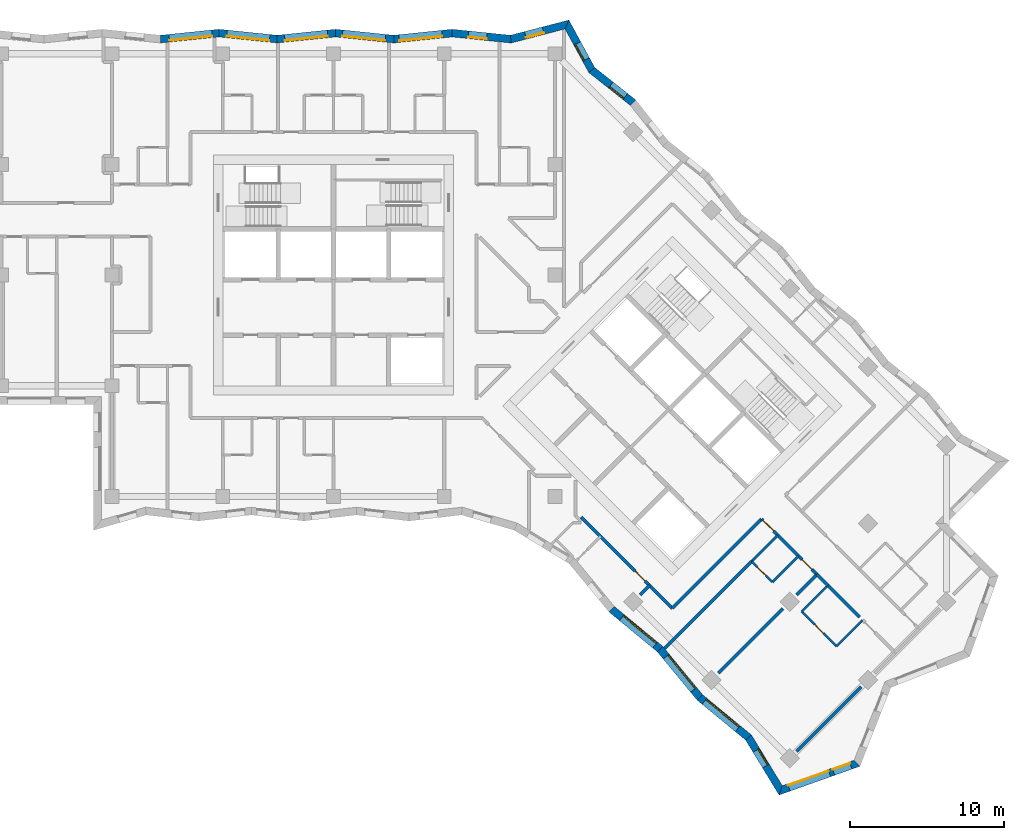
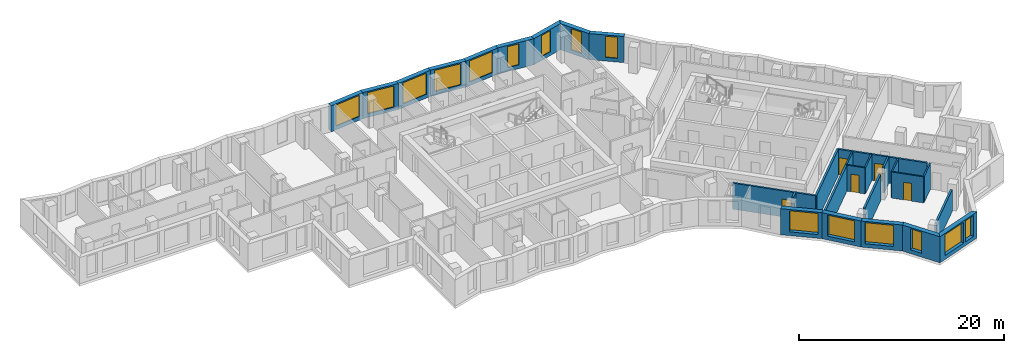
# One storey, part 7 of 12: 30 walls, 15 windows, 5 doors, 20 openings.
"""IFC4 building model written with IfcOpenShell, lengths in metres."""

import ifcopenshell
import ifcopenshell.guid

model = None  # the IFC model being written
_history = None  # IfcOwnerHistory: only IFC2X3 demands one
_inside = {}  # id of a spatial element -> (the spatial element, [elements in it])
_under = {}  # id of a project, library or spatial element -> (it, [spatial elements below it])
_declared = {}  # id of a project -> (the project, [libraries it declares])
_typed = {}  # id of a type object -> (the type object, [elements of that type])
_made_of = {}  # id of a material, layer set ... -> (it, [elements and type objects made of it])


def new_model(schema):
    """Start an empty IFC model of exactly this schema.

    Asked for "IFC4X3", IfcOpenShell would pick the latest addendum, in which some entities
    have other attributes; the version numbers below select the first issue.
    IFC2X3 requires an IfcOwnerHistory on every rooted entity: one is made here for all.
    """
    global model, _history
    if schema == "IFC4X3":
        model = ifcopenshell.file(schema_version=(4, 3, 0, 0))
    else:
        model = ifcopenshell.file(schema=schema)
    _inside.clear()
    _under.clear()
    _declared.clear()
    _typed.clear()
    _made_of.clear()
    _history = None
    if model.schema == "IFC2X3":
        org = make("IfcOrganization", Name="unknown")
        user = make(
            "IfcPersonAndOrganization",
            ThePerson=make("IfcPerson", FamilyName="unknown"),
            TheOrganization=org,
        )
        app = make(
            "IfcApplication",
            ApplicationDeveloper=org,
            Version="unknown",
            ApplicationFullName="unknown",
            ApplicationIdentifier="unknown",
        )
        _history = make(
            "IfcOwnerHistory",
            OwningUser=user,
            OwningApplication=app,
            ChangeAction="ADDED",
            CreationDate=0,
        )
    return model


def make(cls, **values):
    """One entity of the class cls with the attributes given. An attribute that is None is left unset."""
    return model.create_entity(
        cls, **{name: value for name, value in values.items() if value is not None}
    )


def rooted(cls, **values):
    """An entity with a GlobalId (a new one), such as an element, a storey or a relation."""
    return make(cls, GlobalId=ifcopenshell.guid.new(), OwnerHistory=_history, **values)


def si_unit(unit_type, name, prefix=None):
    """IfcSIUnit, for example si_unit("LENGTHUNIT", "METRE", prefix="MILLI")."""
    return make("IfcSIUnit", UnitType=unit_type, Prefix=prefix, Name=name)


def assignment(units):
    """IfcUnitAssignment: the units of a project."""
    return None if units is None else make("IfcUnitAssignment", Units=units)


def point(xyz):
    """IfcCartesianPoint."""
    return None if xyz is None else make("IfcCartesianPoint", Coordinates=xyz)


def direction(xyz):
    """IfcDirection."""
    return None if xyz is None else make("IfcDirection", DirectionRatios=xyz)


def frame(location, z_axis=None, x_axis=None):
    """IfcAxis2Placement3D, a coordinate frame: its origin and axes. An axis left out is left unset."""
    return make(
        "IfcAxis2Placement3D",
        Location=point(location),
        Axis=direction(z_axis),
        RefDirection=direction(x_axis),
    )


def frame_2d(location, x_axis=None):
    """IfcAxis2Placement2D, a coordinate frame in the plane: its origin and x axis."""
    return make(
        "IfcAxis2Placement2D", Location=point(location), RefDirection=direction(x_axis)
    )


def origin():
    """The frame at (0, 0, 0) with its axes left unset."""
    return frame((0.0, 0.0, 0.0))


def place(relative_to, where):
    """IfcLocalPlacement: puts the frame where relative to a parent placement (None: the world)."""
    return make(
        "IfcLocalPlacement", PlacementRelTo=relative_to, RelativePlacement=where
    )


def context(
    kind, dimensions, precision=None, world=None, true_north=None, identifier=None
):
    """IfcGeometricRepresentationContext, for example the 3D "Model" context."""
    return make(
        "IfcGeometricRepresentationContext",
        ContextIdentifier=identifier,
        ContextType=kind,
        CoordinateSpaceDimension=dimensions,
        Precision=precision,
        WorldCoordinateSystem=world,
        TrueNorth=true_north,
    )


def subcontext(parent, identifier, kind, view, scale=None):
    """IfcGeometricRepresentationSubContext, for example "Body" below "Model"."""
    return make(
        "IfcGeometricRepresentationSubContext",
        ContextIdentifier=identifier,
        ContextType=kind,
        ParentContext=parent,
        TargetScale=scale,
        TargetView=view,
    )


def project(units=None, contexts=None):
    """IfcProject with its units and contexts."""
    return rooted(
        "IfcProject",
        Name="project",
        RepresentationContexts=contexts,
        UnitsInContext=assignment(units),
    )


def spatial(cls, under=None, at=None, **own):
    """A site, building, storey or space (cls), placed at a placement, below another one or the project."""
    s = rooted(cls, ObjectPlacement=at, **own)
    if under is not None:
        _under.setdefault(under.id(), (under, []))[1].append(s)
    return s


def polyline(points):
    """IfcPolyline through the points."""
    return make("IfcPolyline", Points=[point(p) for p in points])


def profile(cls, at=None, kind="AREA", **sizes):
    """A parametric profile (cls). Its sizes go by their IFC names, for example OverallWidth=200.0."""
    return make(cls, ProfileType=kind, Position=at, **sizes)


def rectangle(**sizes):
    """IfcRectangleProfileDef."""
    return profile("IfcRectangleProfileDef", **sizes)


def outline(outer, holes=None, kind="AREA"):
    """IfcArbitraryClosedProfileDef: a profile drawn as a closed curve; with holes, ...WithVoids."""
    if holes is None:
        return make("IfcArbitraryClosedProfileDef", ProfileType=kind, OuterCurve=outer)
    return make(
        "IfcArbitraryProfileDefWithVoids",
        ProfileType=kind,
        OuterCurve=outer,
        InnerCurves=holes,
    )


def extrude(swept, where, along, depth):
    """IfcExtrudedAreaSolid: the profile swept, set in the frame where, extruded along a direction by depth."""
    return make(
        "IfcExtrudedAreaSolid",
        SweptArea=swept,
        Position=where,
        ExtrudedDirection=direction(along),
        Depth=depth,
    )


def shape(context_of_items, identifier, shape_type, items):
    """IfcShapeRepresentation: the items that make up one representation, for example the "Body"."""
    return make(
        "IfcShapeRepresentation",
        ContextOfItems=context_of_items,
        RepresentationIdentifier=identifier,
        RepresentationType=shape_type,
        Items=items,
    )


def material(Name=None, Category=None):
    """IfcMaterial."""
    return make("IfcMaterial", Name=Name, Category=Category)


def layer(
    of_material, thickness, ventilated=None, Name=None, Category=None, Priority=None
):
    """IfcMaterialLayer: one layer of a wall or slab, of a material (None: an air gap)."""
    return make(
        "IfcMaterialLayer",
        Material=of_material,
        LayerThickness=thickness,
        IsVentilated=ventilated,
        Name=Name,
        Category=Category,
        Priority=Priority,
    )


def layer_set(layers, Name=None):
    """IfcMaterialLayerSet."""
    return make("IfcMaterialLayerSet", MaterialLayers=layers, LayerSetName=Name)


def made_of(thing, what):
    """Note that an element or type object is made of a material, layer set ...; save() writes the relation."""
    if what is not None:
        _made_of.setdefault(what.id(), (what, []))[1].append(thing)
    return thing


def type_object(cls, material=None, **own):
    """A type object (cls), such as IfcWallType, which elements share."""
    return made_of(rooted(cls, **own), material)


def element(
    cls,
    number,
    at=None,
    inside=None,
    cuts=None,
    type_object=None,
    material=None,
    context=None,
    identifier="Body",
    shape_type=None,
    held_by="IfcProductDefinitionShape",
    body=None,
    shapes=None,
    **own,
):
    """One element of the class cls, such as IfcWall. Its Tag is "e" and its number.

    at: its placement. inside: the storey or other place that contains it. cuts: it is an
    opening in that element (IfcRelVoidsElement). A single representation is given by context,
    identifier, shape_type and body (its items); several are given by shapes. held_by: the class
    of the entity that holds the representations. save() writes the other relations.
    """
    e = rooted(cls, Tag="e%d" % number, ObjectPlacement=at, **own)
    if body is not None:
        shapes = [shape(context, identifier, shape_type, body)]
    if shapes is not None:
        e.Representation = make(held_by, Representations=shapes)
    if inside is not None:
        _inside.setdefault(inside.id(), (inside, []))[1].append(e)
    if cuts is not None:
        rooted(
            "IfcRelVoidsElement", RelatingBuildingElement=cuts, RelatedOpeningElement=e
        )
    if type_object is not None:
        _typed.setdefault(type_object.id(), (type_object, []))[1].append(e)
    return made_of(e, material)


def fill(opening, filler):
    """IfcRelFillsElement: the door or window that sits in an opening."""
    return rooted(
        "IfcRelFillsElement",
        RelatingOpeningElement=opening,
        RelatedBuildingElement=filler,
    )


def aggregate(whole, parts):
    """IfcRelAggregates: a whole, such as a stair, and the parts it consists of."""
    return rooted("IfcRelAggregates", RelatingObject=whole, RelatedObjects=parts)


def save(model, path):
    """Write the relations noted so far, then the file.

    IfcRelAggregates (storeys below a building ...), IfcRelContainedInSpatialStructure (elements
    in a storey), IfcRelDefinesByType, IfcRelAssociatesMaterial and IfcRelDeclares: one each for
    every whole, place, type object, material and project.
    """
    for whole, parts in _under.values():
        aggregate(whole, parts)
    for where, things in _inside.values():
        rooted(
            "IfcRelContainedInSpatialStructure",
            RelatedElements=things,
            RelatingStructure=where,
        )
    for kind, things in _typed.values():
        rooted("IfcRelDefinesByType", RelatedObjects=things, RelatingType=kind)
    for what, things in _made_of.values():
        rooted("IfcRelAssociatesMaterial", RelatedObjects=things, RelatingMaterial=what)
    for by, libraries in _declared.values():
        rooted("IfcRelDeclares", RelatingContext=by, RelatedDefinitions=libraries)
    model.write(path)


model = new_model("IFC4")

# Units and contexts
model_context = context("Model", 3, precision=1e-05, world=origin(), true_north=direction((0.0, 1.0)))
body_context = subcontext(model_context, "Body", "Model", "MODEL_VIEW")
ifc_project = project(units=[si_unit("LENGTHUNIT", "METRE"), si_unit("AREAUNIT", "SQUARE_METRE"), si_unit("VOLUMEUNIT", "CUBIC_METRE"), si_unit("PLANEANGLEUNIT", "RADIAN"), si_unit("MASSUNIT", "GRAM", prefix="KILO")], contexts=[model_context])

# Site, building, storey
site_placement = place(None, origin())
site = spatial("IfcSite", under=ifc_project, at=site_placement, CompositionType="ELEMENT")
building_placement = place(site_placement, origin())
building = spatial("IfcBuilding", under=site, at=building_placement, Name="Windrow Commons", CompositionType="ELEMENT")
storey_placement = place(building_placement, frame((0.0, 0.0, 145.6)))
storey = spatial("IfcBuildingStorey", under=building, at=storey_placement, Name="L39", CompositionType="ELEMENT", Elevation=145.6)

# Wall, openings, windows
ifc_material_1 = material(Name="Brick masonry, red clay brick", Category="masonry")
ifc_layer_1 = layer(ifc_material_1, 0.5)
ifc_layer_set_1 = layer_set([ifc_layer_1], Name="Brick facade wall 500")
wall_type_1 = type_object("IfcWallType", Name="Brick facade wall 500", PredefinedType="SOLIDWALL", material=ifc_layer_set_1)
wall_1_placement = place(storey_placement, frame((93.8807, 24.0854, 0.0), z_axis=(0.0, 0.0, 1.0), x_axis=(0.9422318528, 0.3349613941, 0.0)))
wall_1 = element("IfcWall", 1, at=wall_1_placement, inside=storey, type_object=wall_type_1, Name="Brick facade wall L39 1", PredefinedType="SOLIDWALL", context=body_context, shape_type="SweptSolid", body=[
    extrude(outline(polyline([(-0.2035, -0.25), (5.3858, -0.25), (5.158, 0.25), (0.2035, 0.25), (-0.2035, -0.25)])), origin(), (0.0, 0.0, 1.0), 3.1),
])
opening_1_placement = place(wall_1_placement, frame((0.5631, 0.0, 0.45)))
opening_1 = element("IfcOpeningElement", 2, at=opening_1_placement, cuts=wall_1, Name="Opening W1U", PredefinedType="OPENING", context=body_context, shape_type="SweptSolid", body=[
    extrude(rectangle(XDim=2.8, YDim=2.5, at=frame_2d((1.4, 1.25))), frame((0.0, 0.26, 0.0), z_axis=(0.0, -1.0, 0.0), x_axis=(1.0, 0.0, 0.0)), (0.0, 0.0, 1.0), 0.52),
])
opening_2_placement = place(wall_1_placement, frame((3.6404, 0.0, 0.45)))
opening_2 = element("IfcOpeningElement", 3, at=opening_2_placement, cuts=wall_1, Name="Opening W7E", PredefinedType="OPENING", context=body_context, shape_type="SweptSolid", body=[
    extrude(rectangle(XDim=1.2, YDim=2.5, at=frame_2d((0.6, 1.25))), frame((0.0, 0.26, 0.0), z_axis=(0.0, -1.0, 0.0), x_axis=(1.0, 0.0, 0.0)), (0.0, 0.0, 1.0), 0.52),
])
ifc_material_2 = material(Name="Clear float glass in anodised aluminium frame", Category="aluminium")
window_type_1 = type_object("IfcWindowType", Name="Window W1U bedroom 2800x2500", PartitioningType="SINGLE_PANEL", PredefinedType="WINDOW", material=ifc_material_2)
window_1_placement = place(opening_1_placement, origin())
window_1 = element("IfcWindow", 4, at=window_1_placement, inside=storey, type_object=window_type_1, Name="Window L39 1.1", OverallHeight=2.5, OverallWidth=2.8, PartitioningType="SINGLE_PANEL", PredefinedType="WINDOW", context=body_context, shape_type="SweptSolid", body=[
    extrude(rectangle(XDim=2.8, YDim=2.5, at=frame_2d((1.4, 1.25))), frame((0.0, 0.18, 0.0), z_axis=(0.0, -1.0, 0.0), x_axis=(1.0, 0.0, 0.0)), (0.0, 0.0, 1.0), 0.06),
])
fill(opening_1, window_1)
ifc_material_3 = material(Name="Clear float glass in anodised aluminium frame", Category="aluminium")
window_type_2 = type_object("IfcWindowType", Name="Window W7 notch 1200x2500", PartitioningType="SINGLE_PANEL", PredefinedType="WINDOW", material=ifc_material_3)
window_2_placement = place(opening_2_placement, origin())
window_2 = element("IfcWindow", 5, at=window_2_placement, inside=storey, type_object=window_type_2, Name="Window L39 1.2", OverallHeight=2.5, OverallWidth=1.2, PartitioningType="SINGLE_PANEL", PredefinedType="WINDOW", context=body_context, shape_type="SweptSolid", body=[
    extrude(rectangle(XDim=1.2, YDim=2.5, at=frame_2d((0.6, 1.25))), frame((0.0, 0.18, 0.0), z_axis=(0.0, -1.0, 0.0), x_axis=(1.0, 0.0, 0.0)), (0.0, 0.0, 1.0), 0.06),
])
fill(opening_2, window_2)

# Wall, opening, window
wall_2_placement = place(storey_placement, frame((84.2792, 68.8149, 0.0), z_axis=(0.0, 0.0, 1.0), x_axis=(-0.7837700452, 0.6210511382, 0.0)))
wall_2 = element("IfcWall", 6, at=wall_2_placement, inside=storey, type_object=wall_type_1, Name="Brick facade wall L39 17", PredefinedType="SOLIDWALL", context=body_context, shape_type="SweptSolid", body=[
    extrude(outline(polyline([(-0.029, -0.25), (3.3692, -0.25), (3.4708, 0.25), (0.029, 0.25), (-0.029, -0.25)])), origin(), (0.0, 0.0, 1.0), 3.1),
])
opening_3_placement = place(wall_2_placement, frame((0.6439, 0.0, 0.45)))
opening_3 = element("IfcOpeningElement", 7, at=opening_3_placement, cuts=wall_2, Name="Opening W7E", PredefinedType="OPENING", context=body_context, shape_type="SweptSolid", body=[
    extrude(rectangle(XDim=1.2, YDim=2.5, at=frame_2d((0.6, 1.25))), frame((0.0, 0.26, 0.0), z_axis=(0.0, -1.0, 0.0), x_axis=(1.0, 0.0, 0.0)), (0.0, 0.0, 1.0), 0.52),
])
window_3_placement = place(opening_3_placement, origin())
window_3 = element("IfcWindow", 8, at=window_3_placement, inside=storey, type_object=window_type_2, Name="Window L39 17.1", OverallHeight=2.5, OverallWidth=1.2, PartitioningType="SINGLE_PANEL", PredefinedType="WINDOW", context=body_context, shape_type="SweptSolid", body=[
    extrude(rectangle(XDim=1.2, YDim=2.5, at=frame_2d((0.6, 1.25))), frame((0.0, 0.18, 0.0), z_axis=(0.0, -1.0, 0.0), x_axis=(1.0, 0.0, 0.0)), (0.0, 0.0, 1.0), 0.06),
])
fill(opening_3, window_3)

wall_3_placement = place(storey_placement, frame((81.5987, 70.9389, 0.0), z_axis=(0.0, 0.0, 1.0), x_axis=(-0.4792902898, 0.8776564351, 0.0)))
wall_3 = element("IfcWall", 9, at=wall_3_placement, inside=storey, type_object=wall_type_1, Name="Brick facade wall L39 18", PredefinedType="SOLIDWALL", context=body_context, shape_type="SweptSolid", body=[
    extrude(outline(polyline([(0.0508, -0.25), (3.5689, -0.25), (3.1782, 0.25), (-0.0508, 0.25), (0.0508, -0.25)])), origin(), (0.0, 0.0, 1.0), 3.1),
])
opening_4_placement = place(wall_3_placement, frame((0.7748, 0.0, 0.45)))
opening_4 = element("IfcOpeningElement", 10, at=opening_4_placement, cuts=wall_3, Name="Opening W7E", PredefinedType="OPENING", context=body_context, shape_type="SweptSolid", body=[
    extrude(rectangle(XDim=1.2, YDim=2.5, at=frame_2d((0.6, 1.25))), frame((0.0, 0.26, 0.0), z_axis=(0.0, -1.0, 0.0), x_axis=(1.0, 0.0, 0.0)), (0.0, 0.0, 1.0), 0.52),
])
window_4_placement = place(opening_4_placement, origin())
window_4 = element("IfcWindow", 11, at=window_4_placement, inside=storey, type_object=window_type_2, Name="Window L39 18.1", OverallHeight=2.5, OverallWidth=1.2, PartitioningType="SINGLE_PANEL", PredefinedType="WINDOW", context=body_context, shape_type="SweptSolid", body=[
    extrude(rectangle(XDim=1.2, YDim=2.5, at=frame_2d((0.6, 1.25))), frame((0.0, 0.18, 0.0), z_axis=(0.0, -1.0, 0.0), x_axis=(1.0, 0.0, 0.0)), (0.0, 0.0, 1.0), 0.06),
])
fill(opening_4, window_4)

wall_4_placement = place(storey_placement, frame((79.9818, 73.8997, 0.0), z_axis=(0.0, 0.0, 1.0), x_axis=(-0.9675383728, -0.2527241522, 0.0)))
wall_4 = element("IfcWall", 12, at=wall_4_placement, inside=storey, type_object=wall_type_1, Name="Brick facade wall L39 19", PredefinedType="SOLIDWALL", context=body_context, shape_type="SweptSolid", body=[
    extrude(outline(polyline([(-0.1953, -0.25), (3.7256, -0.25), (3.8162, 0.25), (0.1953, 0.25), (-0.1953, -0.25)])), origin(), (0.0, 0.0, 1.0), 3.1),
])
opening_5_placement = place(wall_4_placement, frame((1.5895, 0.0, 0.45)))
opening_5 = element("IfcOpeningElement", 13, at=opening_5_placement, cuts=wall_4, Name="Opening W7E", PredefinedType="OPENING", context=body_context, shape_type="SweptSolid", body=[
    extrude(rectangle(XDim=1.2, YDim=2.5, at=frame_2d((0.6, 1.25))), frame((0.0, 0.26, 0.0), z_axis=(0.0, -1.0, 0.0), x_axis=(1.0, 0.0, 0.0)), (0.0, 0.0, 1.0), 0.52),
])
window_5_placement = place(opening_5_placement, origin())
window_5 = element("IfcWindow", 14, at=window_5_placement, inside=storey, type_object=window_type_2, Name="Window L39 19.1", OverallHeight=2.5, OverallWidth=1.2, PartitioningType="SINGLE_PANEL", PredefinedType="WINDOW", context=body_context, shape_type="SweptSolid", body=[
    extrude(rectangle(XDim=1.2, YDim=2.5, at=frame_2d((0.6, 1.25))), frame((0.0, 0.18, 0.0), z_axis=(0.0, -1.0, 0.0), x_axis=(1.0, 0.0, 0.0)), (0.0, 0.0, 1.0), 0.06),
])
fill(opening_5, window_5)

wall_5_placement = place(storey_placement, frame((76.3333, 72.9467, 0.0), z_axis=(0.0, 0.0, 1.0), x_axis=(-0.994730395, 0.10252532, 0.0)))
wall_5 = element("IfcWall", 15, at=wall_5_placement, inside=storey, type_object=wall_type_1, Name="Brick facade wall L39 20", PredefinedType="SOLIDWALL", context=body_context, shape_type="SweptSolid", body=[
    extrude(outline(polyline([(0.0453, -0.25), (3.859, -0.25), (3.8075, 0.25), (-0.0453, 0.25), (0.0453, -0.25)])), origin(), (0.0, 0.0, 1.0), 3.1),
])
opening_6_placement = place(wall_5_placement, frame((1.5723, 0.0, 0.45)))
opening_6 = element("IfcOpeningElement", 16, at=opening_6_placement, cuts=wall_5, Name="Opening W7E", PredefinedType="OPENING", context=body_context, shape_type="SweptSolid", body=[
    extrude(rectangle(XDim=1.2, YDim=2.5, at=frame_2d((0.6, 1.25))), frame((0.0, 0.26, 0.0), z_axis=(0.0, -1.0, 0.0), x_axis=(1.0, 0.0, 0.0)), (0.0, 0.0, 1.0), 0.52),
])
window_6_placement = place(opening_6_placement, origin())
window_6 = element("IfcWindow", 17, at=window_6_placement, inside=storey, type_object=window_type_2, Name="Window L39 20.1", OverallHeight=2.5, OverallWidth=1.2, PartitioningType="SINGLE_PANEL", PredefinedType="WINDOW", context=body_context, shape_type="SweptSolid", body=[
    extrude(rectangle(XDim=1.2, YDim=2.5, at=frame_2d((0.6, 1.25))), frame((0.0, 0.18, 0.0), z_axis=(0.0, -1.0, 0.0), x_axis=(1.0, 0.0, 0.0)), (0.0, 0.0, 1.0), 0.06),
])
fill(opening_6, window_6)

wall_6_placement = place(storey_placement, frame((72.5203, 73.3397, 0.0), z_axis=(0.0, 0.0, 1.0), x_axis=(-0.9947306832, -0.1025225234, 0.0)))
wall_6 = element("IfcWall", 18, at=wall_6_placement, inside=storey, type_object=wall_type_1, Name="Brick facade wall L39 21", PredefinedType="SOLIDWALL", context=body_context, shape_type="SweptSolid", body=[
    extrude(outline(polyline([(-0.0258, -0.25), (3.788, -0.25), (3.8395, 0.25), (0.0258, 0.25), (-0.0258, -0.25)])), origin(), (0.0, 0.0, 1.0), 3.1),
])
opening_7_placement = place(wall_6_placement, frame((0.6684, 0.0, 0.45)))
opening_7 = element("IfcOpeningElement", 19, at=opening_7_placement, cuts=wall_6, Name="Opening W1U", PredefinedType="OPENING", context=body_context, shape_type="SweptSolid", body=[
    extrude(rectangle(XDim=2.8, YDim=2.5, at=frame_2d((1.4, 1.25))), frame((0.0, 0.26, 0.0), z_axis=(0.0, -1.0, 0.0), x_axis=(1.0, 0.0, 0.0)), (0.0, 0.0, 1.0), 0.52),
])
window_7_placement = place(opening_7_placement, origin())
window_7 = element("IfcWindow", 20, at=window_7_placement, inside=storey, type_object=window_type_1, Name="Window L39 21.1", OverallHeight=2.5, OverallWidth=2.8, PartitioningType="SINGLE_PANEL", PredefinedType="WINDOW", context=body_context, shape_type="SweptSolid", body=[
    extrude(rectangle(XDim=2.8, YDim=2.5, at=frame_2d((1.4, 1.25))), frame((0.0, 0.18, 0.0), z_axis=(0.0, -1.0, 0.0), x_axis=(1.0, 0.0, 0.0)), (0.0, 0.0, 1.0), 0.06),
])
fill(opening_7, window_7)

wall_7_placement = place(storey_placement, frame((68.7266, 72.9487, 0.0), z_axis=(0.0, 0.0, 1.0), x_axis=(-0.9947306832, 0.1025225234, 0.0)))
wall_7 = element("IfcWall", 21, at=wall_7_placement, inside=storey, type_object=wall_type_1, Name="Brick facade wall L39 22", PredefinedType="SOLIDWALL", context=body_context, shape_type="SweptSolid", body=[
    extrude(outline(polyline([(0.0258, -0.25), (3.8395, -0.25), (3.788, 0.25), (-0.0258, 0.25), (0.0258, -0.25)])), origin(), (0.0, 0.0, 1.0), 3.1),
])
opening_8_placement = place(wall_7_placement, frame((0.5582, 0.0, 0.45)))
opening_8 = element("IfcOpeningElement", 22, at=opening_8_placement, cuts=wall_7, Name="Opening W1U", PredefinedType="OPENING", context=body_context, shape_type="SweptSolid", body=[
    extrude(rectangle(XDim=2.8, YDim=2.5, at=frame_2d((1.4, 1.25))), frame((0.0, 0.26, 0.0), z_axis=(0.0, -1.0, 0.0), x_axis=(1.0, 0.0, 0.0)), (0.0, 0.0, 1.0), 0.52),
])
window_8_placement = place(opening_8_placement, origin())
window_8 = element("IfcWindow", 23, at=window_8_placement, inside=storey, type_object=window_type_1, Name="Window L39 22.1", OverallHeight=2.5, OverallWidth=2.8, PartitioningType="SINGLE_PANEL", PredefinedType="WINDOW", context=body_context, shape_type="SweptSolid", body=[
    extrude(rectangle(XDim=2.8, YDim=2.5, at=frame_2d((1.4, 1.25))), frame((0.0, 0.18, 0.0), z_axis=(0.0, -1.0, 0.0), x_axis=(1.0, 0.0, 0.0)), (0.0, 0.0, 1.0), 0.06),
])
fill(opening_8, window_8)

wall_8_placement = place(storey_placement, frame((64.9329, 73.3397, 0.0), z_axis=(0.0, 0.0, 1.0), x_axis=(-0.9947304076, -0.1025251975, 0.0)))
wall_8 = element("IfcWall", 24, at=wall_8_placement, inside=storey, type_object=wall_type_1, Name="Brick facade wall L39 23", PredefinedType="SOLIDWALL", context=body_context, shape_type="SweptSolid", body=[
    extrude(outline(polyline([(-0.0258, -0.25), (3.788, -0.25), (3.8395, 0.25), (0.0258, 0.25), (-0.0258, -0.25)])), origin(), (0.0, 0.0, 1.0), 3.1),
])
opening_9_placement = place(wall_8_placement, frame((0.5198, 0.0, 0.45)))
opening_9 = element("IfcOpeningElement", 25, at=opening_9_placement, cuts=wall_8, Name="Opening W1U", PredefinedType="OPENING", context=body_context, shape_type="SweptSolid", body=[
    extrude(rectangle(XDim=2.8, YDim=2.5, at=frame_2d((1.4, 1.25))), frame((0.0, 0.26, 0.0), z_axis=(0.0, -1.0, 0.0), x_axis=(1.0, 0.0, 0.0)), (0.0, 0.0, 1.0), 0.52),
])
window_9_placement = place(opening_9_placement, origin())
window_9 = element("IfcWindow", 26, at=window_9_placement, inside=storey, type_object=window_type_1, Name="Window L39 23.1", OverallHeight=2.5, OverallWidth=2.8, PartitioningType="SINGLE_PANEL", PredefinedType="WINDOW", context=body_context, shape_type="SweptSolid", body=[
    extrude(rectangle(XDim=2.8, YDim=2.5, at=frame_2d((1.4, 1.25))), frame((0.0, 0.18, 0.0), z_axis=(0.0, -1.0, 0.0), x_axis=(1.0, 0.0, 0.0)), (0.0, 0.0, 1.0), 0.06),
])
fill(opening_9, window_9)

wall_9_placement = place(storey_placement, frame((61.1393, 72.9487, 0.0), z_axis=(0.0, 0.0, 1.0), x_axis=(-0.9947306832, 0.1025225234, 0.0)))
wall_9 = element("IfcWall", 27, at=wall_9_placement, inside=storey, type_object=wall_type_1, Name="Brick facade wall L39 24", PredefinedType="SOLIDWALL", context=body_context, shape_type="SweptSolid", body=[
    extrude(outline(polyline([(0.0258, -0.25), (3.8395, -0.25), (3.788, 0.25), (-0.0258, 0.25), (0.0258, -0.25)])), origin(), (0.0, 0.0, 1.0), 3.1),
])
opening_10_placement = place(wall_9_placement, frame((0.494, 0.0, 0.45)))
opening_10 = element("IfcOpeningElement", 28, at=opening_10_placement, cuts=wall_9, Name="Opening W1U", PredefinedType="OPENING", context=body_context, shape_type="SweptSolid", body=[
    extrude(rectangle(XDim=2.8, YDim=2.5, at=frame_2d((1.4, 1.25))), frame((0.0, 0.26, 0.0), z_axis=(0.0, -1.0, 0.0), x_axis=(1.0, 0.0, 0.0)), (0.0, 0.0, 1.0), 0.52),
])
window_10_placement = place(opening_10_placement, origin())
window_10 = element("IfcWindow", 29, at=window_10_placement, inside=storey, type_object=window_type_1, Name="Window L39 24.1", OverallHeight=2.5, OverallWidth=2.8, PartitioningType="SINGLE_PANEL", PredefinedType="WINDOW", context=body_context, shape_type="SweptSolid", body=[
    extrude(rectangle(XDim=2.8, YDim=2.5, at=frame_2d((1.4, 1.25))), frame((0.0, 0.18, 0.0), z_axis=(0.0, -1.0, 0.0), x_axis=(1.0, 0.0, 0.0)), (0.0, 0.0, 1.0), 0.06),
])
fill(opening_10, window_10)

wall_10_placement = place(storey_placement, frame((57.3456, 73.3397, 0.0), z_axis=(0.0, 0.0, 1.0), x_axis=(-0.9947304076, -0.1025251975, 0.0)))
wall_10 = element("IfcWall", 30, at=wall_10_placement, inside=storey, type_object=wall_type_1, Name="Brick facade wall L39 25", PredefinedType="SOLIDWALL", context=body_context, shape_type="SweptSolid", body=[
    extrude(outline(polyline([(-0.0258, -0.25), (3.788, -0.25), (3.8395, 0.25), (0.0258, 0.25), (-0.0258, -0.25)])), origin(), (0.0, 0.0, 1.0), 3.1),
])
opening_11_placement = place(wall_10_placement, frame((0.4446, 0.0, 0.45)))
opening_11 = element("IfcOpeningElement", 31, at=opening_11_placement, cuts=wall_10, Name="Opening W1U", PredefinedType="OPENING", context=body_context, shape_type="SweptSolid", body=[
    extrude(rectangle(XDim=2.8, YDim=2.5, at=frame_2d((1.4, 1.25))), frame((0.0, 0.26, 0.0), z_axis=(0.0, -1.0, 0.0), x_axis=(1.0, 0.0, 0.0)), (0.0, 0.0, 1.0), 0.52),
])
window_11_placement = place(opening_11_placement, origin())
window_11 = element("IfcWindow", 32, at=window_11_placement, inside=storey, type_object=window_type_1, Name="Window L39 25.1", OverallHeight=2.5, OverallWidth=2.8, PartitioningType="SINGLE_PANEL", PredefinedType="WINDOW", context=body_context, shape_type="SweptSolid", body=[
    extrude(rectangle(XDim=2.8, YDim=2.5, at=frame_2d((1.4, 1.25))), frame((0.0, 0.18, 0.0), z_axis=(0.0, -1.0, 0.0), x_axis=(1.0, 0.0, 0.0)), (0.0, 0.0, 1.0), 0.06),
])
fill(opening_11, window_11)

wall_11_placement = place(storey_placement, frame((82.8897, 35.8684, 0.0), z_axis=(0.0, 0.0, 1.0), x_axis=(0.7716322406, -0.6360689312, 0.0)))
wall_11 = element("IfcWall", 33, at=wall_11_placement, inside=storey, type_object=wall_type_1, Name="Brick facade wall L39 52", PredefinedType="SOLIDWALL", context=body_context, shape_type="SweptSolid", body=[
    extrude(outline(polyline([(-0.0241, -0.25), (4.0552, -0.25), (4.1034, 0.25), (0.0241, 0.25), (-0.0241, -0.25)])), origin(), (0.0, 0.0, 1.0), 3.1),
])
opening_12_placement = place(wall_11_placement, frame((0.8622, 0.0, 0.45)))
opening_12 = element("IfcOpeningElement", 34, at=opening_12_placement, cuts=wall_11, Name="Opening W1U", PredefinedType="OPENING", context=body_context, shape_type="SweptSolid", body=[
    extrude(rectangle(XDim=2.8, YDim=2.5, at=frame_2d((1.4, 1.25))), frame((0.0, 0.26, 0.0), z_axis=(0.0, -1.0, 0.0), x_axis=(1.0, 0.0, 0.0)), (0.0, 0.0, 1.0), 0.52),
])
window_12_placement = place(opening_12_placement, origin())
window_12 = element("IfcWindow", 35, at=window_12_placement, inside=storey, type_object=window_type_1, Name="Window L39 52.1", OverallHeight=2.5, OverallWidth=2.8, PartitioningType="SINGLE_PANEL", PredefinedType="WINDOW", context=body_context, shape_type="SweptSolid", body=[
    extrude(rectangle(XDim=2.8, YDim=2.5, at=frame_2d((1.4, 1.25))), frame((0.0, 0.18, 0.0), z_axis=(0.0, -1.0, 0.0), x_axis=(1.0, 0.0, 0.0)), (0.0, 0.0, 1.0), 0.06),
])
fill(opening_12, window_12)

wall_12_placement = place(storey_placement, frame((86.0374, 33.2737, 0.0), z_axis=(0.0, 0.0, 1.0), x_axis=(0.636083527, -0.7716202088, 0.0)))
wall_12 = element("IfcWall", 36, at=wall_12_placement, inside=storey, type_object=wall_type_1, Name="Brick facade wall L39 53", PredefinedType="SOLIDWALL", context=body_context, shape_type="SweptSolid", body=[
    extrude(outline(polyline([(0.0241, -0.25), (4.1034, -0.25), (4.0552, 0.25), (-0.0241, 0.25), (0.0241, -0.25)])), origin(), (0.0, 0.0, 1.0), 3.1),
])
opening_13_placement = place(wall_12_placement, frame((0.6276, 0.0, 0.45)))
opening_13 = element("IfcOpeningElement", 37, at=opening_13_placement, cuts=wall_12, Name="Opening W1U", PredefinedType="OPENING", context=body_context, shape_type="SweptSolid", body=[
    extrude(rectangle(XDim=2.8, YDim=2.5, at=frame_2d((1.4, 1.25))), frame((0.0, 0.26, 0.0), z_axis=(0.0, -1.0, 0.0), x_axis=(1.0, 0.0, 0.0)), (0.0, 0.0, 1.0), 0.52),
])
window_13_placement = place(opening_13_placement, origin())
window_13 = element("IfcWindow", 38, at=window_13_placement, inside=storey, type_object=window_type_1, Name="Window L39 53.1", OverallHeight=2.5, OverallWidth=2.8, PartitioningType="SINGLE_PANEL", PredefinedType="WINDOW", context=body_context, shape_type="SweptSolid", body=[
    extrude(rectangle(XDim=2.8, YDim=2.5, at=frame_2d((1.4, 1.25))), frame((0.0, 0.18, 0.0), z_axis=(0.0, -1.0, 0.0), x_axis=(1.0, 0.0, 0.0)), (0.0, 0.0, 1.0), 0.06),
])
fill(opening_13, window_13)

wall_13_placement = place(storey_placement, frame((88.6322, 30.126, 0.0), z_axis=(0.0, 0.0, 1.0), x_axis=(0.7716131261, -0.6360921188, 0.0)))
wall_13 = element("IfcWall", 39, at=wall_13_placement, inside=storey, type_object=wall_type_1, Name="Brick facade wall L39 54", PredefinedType="SOLIDWALL", context=body_context, shape_type="SweptSolid", body=[
    extrude(outline(polyline([(-0.0241, -0.25), (4.0552, -0.25), (4.1399, 0.25), (0.0241, 0.25), (-0.0241, -0.25)])), origin(), (0.0, 0.0, 1.0), 3.1),
])
opening_14_placement = place(wall_13_placement, frame((0.3802, 0.0, 0.45)))
opening_14 = element("IfcOpeningElement", 40, at=opening_14_placement, cuts=wall_13, Name="Opening W1U", PredefinedType="OPENING", context=body_context, shape_type="SweptSolid", body=[
    extrude(rectangle(XDim=2.8, YDim=2.5, at=frame_2d((1.4, 1.25))), frame((0.0, 0.26, 0.0), z_axis=(0.0, -1.0, 0.0), x_axis=(1.0, 0.0, 0.0)), (0.0, 0.0, 1.0), 0.52),
])
window_14_placement = place(opening_14_placement, origin())
window_14 = element("IfcWindow", 41, at=window_14_placement, inside=storey, type_object=window_type_1, Name="Window L39 54.1", OverallHeight=2.5, OverallWidth=2.8, PartitioningType="SINGLE_PANEL", PredefinedType="WINDOW", context=body_context, shape_type="SweptSolid", body=[
    extrude(rectangle(XDim=2.8, YDim=2.5, at=frame_2d((1.4, 1.25))), frame((0.0, 0.18, 0.0), z_axis=(0.0, -1.0, 0.0), x_axis=(1.0, 0.0, 0.0)), (0.0, 0.0, 1.0), 0.06),
])
fill(opening_14, window_14)

wall_14_placement = place(storey_placement, frame((91.7939, 27.5196, 0.0), z_axis=(0.0, 0.0, 1.0), x_axis=(0.5192962899, -0.8545942682, 0.0)))
wall_14 = element("IfcWall", 42, at=wall_14_placement, inside=storey, type_object=wall_type_1, Name="Brick facade wall L39 55", PredefinedType="SOLIDWALL", context=body_context, shape_type="SweptSolid", body=[
    extrude(outline(polyline([(0.0423, -0.25), (4.222, -0.25), (3.8151, 0.25), (-0.0423, 0.25), (0.0423, -0.25)])), origin(), (0.0, 0.0, 1.0), 3.1),
])
opening_15_placement = place(wall_14_placement, frame((0.9629, 0.0, 0.45)))
opening_15 = element("IfcOpeningElement", 43, at=opening_15_placement, cuts=wall_14, Name="Opening W7E", PredefinedType="OPENING", context=body_context, shape_type="SweptSolid", body=[
    extrude(rectangle(XDim=1.2, YDim=2.5, at=frame_2d((0.6, 1.25))), frame((0.0, 0.26, 0.0), z_axis=(0.0, -1.0, 0.0), x_axis=(1.0, 0.0, 0.0)), (0.0, 0.0, 1.0), 0.52),
])
window_15_placement = place(opening_15_placement, origin())
window_15 = element("IfcWindow", 44, at=window_15_placement, inside=storey, type_object=window_type_2, Name="Window L39 55.1", OverallHeight=2.5, OverallWidth=1.2, PartitioningType="SINGLE_PANEL", PredefinedType="WINDOW", context=body_context, shape_type="SweptSolid", body=[
    extrude(rectangle(XDim=1.2, YDim=2.5, at=frame_2d((0.6, 1.25))), frame((0.0, 0.18, 0.0), z_axis=(0.0, -1.0, 0.0), x_axis=(1.0, 0.0, 0.0)), (0.0, 0.0, 1.0), 0.06),
])
fill(opening_15, window_15)

# Wall, opening, door
ifc_material_4 = material(Name="Blockwork partition", Category="masonry")
ifc_layer_2 = layer(ifc_material_4, 0.2)
ifc_layer_set_2 = layer_set([ifc_layer_2], Name="IW-CORRIDOR-200")
wall_type_2 = type_object("IfcWallType", Name="IW-CORRIDOR-200", PredefinedType="PARTITIONING", material=ifc_layer_set_2)
wall_15_placement = place(storey_placement, frame((80.8989, 41.8689, 0.0), z_axis=(0.0, 0.0, 1.0), x_axis=(0.7071067812, -0.7071067812, 0.0)))
wall_15 = element("IfcWall", 45, at=wall_15_placement, inside=storey, type_object=wall_type_2, Name="W-L39-W010", PredefinedType="PARTITIONING", context=body_context, shape_type="SweptSolid", body=[
    extrude(rectangle(XDim=8.3919, YDim=0.2, at=frame_2d((4.1959, 0.0))), origin(), (0.0, 0.0, 1.0), 3.1),
])
opening_16_placement = place(wall_15_placement, frame((4.9878, 0.0, 0.0)))
opening_16 = element("IfcOpeningElement", 46, at=opening_16_placement, cuts=wall_15, Name="Opening D109S", PredefinedType="OPENING", context=body_context, shape_type="SweptSolid", body=[
    extrude(rectangle(XDim=0.9, YDim=2.1, at=frame_2d((0.45, 1.05))), frame((0.0, 0.11, 0.0), z_axis=(0.0, -1.0, 0.0), x_axis=(1.0, 0.0, 0.0)), (0.0, 0.0, 1.0), 0.22),
])
ifc_material_5 = material(Name="Timber door leaf", Category="wood")
door_type_1 = type_object("IfcDoorType", Name="DT-BEDROOM-900", OperationType="SINGLE_SWING_LEFT", PredefinedType="DOOR", material=ifc_material_5)
door_1_placement = place(opening_16_placement, origin())
door_1 = element("IfcDoor", 47, at=door_1_placement, inside=storey, type_object=door_type_1, Name="D-L39-D046", OperationType="SINGLE_SWING_RIGHT", OverallHeight=2.1, OverallWidth=0.9, PredefinedType="DOOR", context=body_context, shape_type="SweptSolid", body=[
    extrude(rectangle(XDim=0.9, YDim=2.1, at=frame_2d((0.45, 1.05))), frame((0.0, 0.025, 0.0), z_axis=(0.0, -1.0, 0.0), x_axis=(1.0, 0.0, 0.0)), (0.0, 0.0, 1.0), 0.05),
])
fill(opening_16, door_1)

# Wall
wall_16_placement = place(storey_placement, frame((86.8358, 35.9382, 0.0), z_axis=(0.0, 0.0, 1.0), x_axis=(0.7071067812, 0.7071067812, 0.0)))
element("IfcWall", 48, at=wall_16_placement, inside=storey, type_object=wall_type_2, Name="W-L39-W013", PredefinedType="PARTITIONING", context=body_context, shape_type="SweptSolid", body=[
    extrude(rectangle(XDim=8.1996, YDim=0.2, at=frame_2d((4.0998, 0.0))), origin(), (0.0, 0.0, 1.0), 3.1),
])

# Wall, openings, doors
wall_17_placement = place(storey_placement, frame((92.6393, 41.7393, 0.0), z_axis=(0.0, 0.0, 1.0), x_axis=(0.7071067812, -0.7071067812, 0.0)))
wall_17 = element("IfcWall", 49, at=wall_17_placement, inside=storey, type_object=wall_type_2, Name="W-L39-W038", PredefinedType="PARTITIONING", context=body_context, shape_type="SweptSolid", body=[
    extrude(rectangle(XDim=5.0997, YDim=0.2, at=frame_2d((2.5499, 0.0))), origin(), (0.0, 0.0, 1.0), 3.1),
])
opening_17_placement = place(wall_17_placement, frame((0.1234, 0.0, 0.0)))
opening_17 = element("IfcOpeningElement", 50, at=opening_17_placement, cuts=wall_17, Name="Opening D310F", PredefinedType="OPENING", context=body_context, shape_type="SweptSolid", body=[
    extrude(rectangle(XDim=1.0, YDim=2.1, at=frame_2d((0.5, 1.05))), frame((0.0, 0.11, 0.0), z_axis=(0.0, -1.0, 0.0), x_axis=(1.0, 0.0, 0.0)), (0.0, 0.0, 1.0), 0.22),
])
opening_18_placement = place(wall_17_placement, frame((3.7344, 0.0, 0.0)))
opening_18 = element("IfcOpeningElement", 51, at=opening_18_placement, cuts=wall_17, Name="Opening D109S", PredefinedType="OPENING", context=body_context, shape_type="SweptSolid", body=[
    extrude(rectangle(XDim=0.9, YDim=2.1, at=frame_2d((0.45, 1.05))), frame((0.0, 0.11, 0.0), z_axis=(0.0, -1.0, 0.0), x_axis=(1.0, 0.0, 0.0)), (0.0, 0.0, 1.0), 0.22),
])
ifc_material_6 = material(Name="Timber door leaf", Category="wood")
door_type_2 = type_object("IfcDoorType", Name="DT-AMENITY-1000", OperationType="SINGLE_SWING_LEFT", PredefinedType="DOOR", material=ifc_material_6)
door_2_placement = place(opening_17_placement, origin())
door_2 = element("IfcDoor", 52, at=door_2_placement, inside=storey, type_object=door_type_2, Name="D-L39-D048", OperationType="SINGLE_SWING_RIGHT", OverallHeight=2.1, OverallWidth=1.0, PredefinedType="DOOR", context=body_context, shape_type="SweptSolid", body=[
    extrude(rectangle(XDim=1.0, YDim=2.1, at=frame_2d((0.5, 1.05))), frame((0.0, 0.025, 0.0), z_axis=(0.0, -1.0, 0.0), x_axis=(1.0, 0.0, 0.0)), (0.0, 0.0, 1.0), 0.05),
])
fill(opening_17, door_2)
door_3_placement = place(opening_18_placement, origin())
door_3 = element("IfcDoor", 53, at=door_3_placement, inside=storey, type_object=door_type_1, Name="D-L39-D049", OperationType="SINGLE_SWING_LEFT", OverallHeight=2.1, OverallWidth=0.9, PredefinedType="DOOR", context=body_context, shape_type="SweptSolid", body=[
    extrude(rectangle(XDim=0.9, YDim=2.1, at=frame_2d((0.45, 1.05))), frame((0.0, 0.025, 0.0), z_axis=(0.0, -1.0, 0.0), x_axis=(1.0, 0.0, 0.0)), (0.0, 0.0, 1.0), 0.05),
])
fill(opening_18, door_3)

# Walls
wall_18_placement = place(storey_placement, frame((96.9452, 37.4192, 0.0), z_axis=(0.0, 0.0, 1.0), x_axis=(0.7071067812, -0.7071067812, 0.0)))
element("IfcWall", 54, at=wall_18_placement, inside=storey, type_object=wall_type_2, Name="W-L39-W058", PredefinedType="PARTITIONING", context=body_context, shape_type="SweptSolid", body=[
    extrude(rectangle(XDim=2.9274, YDim=0.2, at=frame_2d((1.4637, 0.0))), origin(), (0.0, 0.0, 1.0), 3.1),
])
wall_19_placement = place(storey_placement, frame((96.2396, 38.1276, 0.0), z_axis=(0.0, 0.0, 1.0), x_axis=(0.7061059238, -0.7081062239, 0.0)))
element("IfcWall", 55, at=wall_19_placement, inside=storey, type_object=wall_type_2, Name="W-L39-W154", PredefinedType="PARTITIONING", context=body_context, shape_type="SweptSolid", body=[
    extrude(rectangle(XDim=0.9998, YDim=0.2, at=frame_2d((0.4999, 0.0))), origin(), (0.0, 0.0, 1.0), 3.1),
])

# Wall, opening, door
ifc_material_7 = material(Name="Blockwork partition", Category="masonry")
ifc_layer_3 = layer(ifc_material_7, 0.15)
ifc_layer_set_3 = layer_set([ifc_layer_3], Name="IW-ENSUITE-150")
wall_type_3 = type_object("IfcWallType", Name="IW-ENSUITE-150", PredefinedType="PARTITIONING", material=ifc_layer_set_3)
wall_20_placement = place(storey_placement, frame((95.2492, 35.7232, 0.0), z_axis=(0.0, 0.0, 1.0), x_axis=(0.7067942478, -0.7074191764, 0.0)))
wall_20 = element("IfcWall", 56, at=wall_20_placement, inside=storey, type_object=wall_type_3, Name="W-L39-W052", PredefinedType="PARTITIONING", context=body_context, shape_type="SweptSolid", body=[
    extrude(rectangle(XDim=3.2004, YDim=0.15, at=frame_2d((1.6002, 0.0))), origin(), (0.0, 0.0, 1.0), 3.1),
])
opening_19_placement = place(wall_20_placement, frame((1.2061, 0.0, 0.0)))
opening_19 = element("IfcOpeningElement", 57, at=opening_19_placement, cuts=wall_20, Name="Opening D208N", PredefinedType="OPENING", context=body_context, shape_type="SweptSolid", body=[
    extrude(rectangle(XDim=0.8, YDim=2.1, at=frame_2d((0.4, 1.05))), frame((0.0, 0.085, 0.0), z_axis=(0.0, -1.0, 0.0), x_axis=(1.0, 0.0, 0.0)), (0.0, 0.0, 1.0), 0.17),
])
ifc_material_8 = material(Name="Timber door leaf", Category="wood")
door_type_3 = type_object("IfcDoorType", Name="DT-ENSUITE-800", OperationType="SINGLE_SWING_LEFT", PredefinedType="DOOR", material=ifc_material_8)
door_4_placement = place(opening_19_placement, origin())
door_4 = element("IfcDoor", 58, at=door_4_placement, inside=storey, type_object=door_type_3, Name="D-L39-D052", OperationType="SINGLE_SWING_RIGHT", OverallHeight=2.1, OverallWidth=0.8, PredefinedType="DOOR", context=body_context, shape_type="SweptSolid", body=[
    extrude(rectangle(XDim=0.8, YDim=2.1, at=frame_2d((0.4, 1.05))), frame((0.0, 0.025, 0.0), z_axis=(0.0, -1.0, 0.0), x_axis=(1.0, 0.0, 0.0)), (0.0, 0.0, 1.0), 0.05),
])
fill(opening_19, door_4)

# Walls
for number, where, z_axis, x_axis, name in (
    (59, (97.5129, 33.4631, 0.0), (0.0, 0.0, 1.0), (0.7071067812, 0.7071067812, 0.0), "W-L39-W066"),
    (60, (93.3409, 37.6351, 0.0), (0.0, 0.0, 1.0), (0.7071067812, 0.7071067812, 0.0), "W-L39-W067"),
    (61, (91.9974, 38.9786, 0.0), (0.0, 0.0, 1.0), (0.7071067812, 0.7071067812, 0.0), "W-L39-W069"),
):
    element("IfcWall", number, at=place(storey_placement, frame(where, z_axis=z_axis, x_axis=x_axis)), inside=storey, type_object=wall_type_3, Name=name, PredefinedType="PARTITIONING", context=body_context, shape_type="SweptSolid", body=[
        extrude(rectangle(XDim=2.4013, YDim=0.15, at=frame_2d((1.2006, 0.0))), origin(), (0.0, 0.0, 1.0), 3.1),
    ])
wall_21_placement = place(storey_placement, frame((95.2511, 35.7269, 0.0), z_axis=(0.0, 0.0, 1.0), x_axis=(0.7071067812, 0.7071067812, 0.0)))
element("IfcWall", 62, at=wall_21_placement, inside=storey, type_object=wall_type_3, Name="W-L39-W096", PredefinedType="PARTITIONING", context=body_context, shape_type="SweptSolid", body=[
    extrude(rectangle(XDim=2.3985, YDim=0.15, at=frame_2d((1.1992, 0.0))), origin(), (0.0, 0.0, 1.0), 3.1),
])

# Wall, opening, door
wall_22_placement = place(storey_placement, frame((91.9952, 38.9752, 0.0), z_axis=(0.0, 0.0, 1.0), x_axis=(0.7071067812, -0.7071067812, 0.0)))
wall_22 = element("IfcWall", 63, at=wall_22_placement, inside=storey, type_object=wall_type_3, Name="W-L39-W123", PredefinedType="PARTITIONING", context=body_context, shape_type="SweptSolid", body=[
    extrude(rectangle(XDim=1.9007, YDim=0.15, at=frame_2d((0.9504, 0.0))), origin(), (0.0, 0.0, 1.0), 3.1),
])
opening_20_placement = place(wall_22_placement, frame((0.5056, 0.0, 0.0)))
opening_20 = element("IfcOpeningElement", 64, at=opening_20_placement, cuts=wall_22, Name="Opening D208N", PredefinedType="OPENING", context=body_context, shape_type="SweptSolid", body=[
    extrude(rectangle(XDim=0.8, YDim=2.1, at=frame_2d((0.4, 1.05))), frame((0.0, 0.085, 0.0), z_axis=(0.0, -1.0, 0.0), x_axis=(1.0, 0.0, 0.0)), (0.0, 0.0, 1.0), 0.17),
])
door_5_placement = place(opening_20_placement, origin())
door_5 = element("IfcDoor", 65, at=door_5_placement, inside=storey, type_object=door_type_3, Name="D-L39-D050", OperationType="SINGLE_SWING_RIGHT", OverallHeight=2.1, OverallWidth=0.8, PredefinedType="DOOR", context=body_context, shape_type="SweptSolid", body=[
    extrude(rectangle(XDim=0.8, YDim=2.1, at=frame_2d((0.4, 1.05))), frame((0.0, 0.025, 0.0), z_axis=(0.0, -1.0, 0.0), x_axis=(1.0, 0.0, 0.0)), (0.0, 0.0, 1.0), 0.05),
])
fill(opening_20, door_5)

# Walls
ifc_material_9 = material(Name="Blockwork partition", Category="masonry")
ifc_layer_4 = layer(ifc_material_9, 0.2)
ifc_layer_set_4 = layer_set([ifc_layer_4], Name="IW-PARTY-200")
wall_type_4 = type_object("IfcWallType", Name="IW-PARTY-200", PredefinedType="PARTITIONING", material=ifc_layer_set_4)
wall_23_placement = place(storey_placement, frame((86.3303, 33.3114, 0.0), z_axis=(0.0, 0.0, 1.0), x_axis=(0.7071005425, 0.7071130198, 0.0)))
element("IfcWall", 66, at=wall_23_placement, inside=storey, type_object=wall_type_4, Name="W-L39-W014", PredefinedType="PARTITIONING", context=body_context, shape_type="SweptSolid", body=[
    extrude(rectangle(XDim=8.0146, YDim=0.2, at=frame_2d((4.0073, 0.0))), origin(), (0.0, 0.0, 1.0), 3.1),
])
wall_24_placement = place(storey_placement, frame((89.831, 31.721, 0.0), z_axis=(0.0, 0.0, 1.0), x_axis=(0.7071067812, 0.7071067812, 0.0)))
element("IfcWall", 67, at=wall_24_placement, inside=storey, type_object=wall_type_4, Name="W-L39-W029", PredefinedType="PARTITIONING", context=body_context, shape_type="SweptSolid", body=[
    extrude(rectangle(XDim=5.9284, YDim=0.2, at=frame_2d((2.9642, 0.0))), origin(), (0.0, 0.0, 1.0), 3.1),
])
wall_25_placement = place(storey_placement, frame((94.9232, 26.6308, 0.0), z_axis=(0.0, 0.0, 1.0), x_axis=(0.7071067812, 0.7071067812, 0.0)))
element("IfcWall", 68, at=wall_25_placement, inside=storey, type_object=wall_type_4, Name="W-L39-W030", PredefinedType="PARTITIONING", context=body_context, shape_type="SweptSolid", body=[
    extrude(rectangle(XDim=5.9256, YDim=0.2, at=frame_2d((2.9628, 0.0))), origin(), (0.0, 0.0, 1.0), 2.6),
])
wall_26_placement = place(storey_placement, frame((94.923, 36.813, 0.0), z_axis=(0.0, 0.0, 1.0), x_axis=(0.7071067812, 0.7071067812, 0.0)))
element("IfcWall", 69, at=wall_26_placement, inside=storey, type_object=wall_type_4, Name="W-L39-W134", PredefinedType="PARTITIONING", context=body_context, shape_type="SweptSolid", body=[
    extrude(rectangle(XDim=1.8639, YDim=0.2, at=frame_2d((0.9319, 0.0))), origin(), (0.0, 0.0, 1.0), 3.1),
])
wall_27_placement = place(storey_placement, frame((84.7408, 36.8132, 0.0), z_axis=(0.0, 0.0, 1.0), x_axis=(0.7071067812, 0.7071067812, 0.0)))
element("IfcWall", 70, at=wall_27_placement, inside=storey, type_object=wall_type_4, Name="W-L39-W157", PredefinedType="PARTITIONING", context=body_context, shape_type="SweptSolid", body=[
    extrude(rectangle(XDim=0.8627, YDim=0.2, at=frame_2d((0.4314, 0.0))), origin(), (0.0, 0.0, 1.0), 3.1),
])

save(model, "model.ifc")
